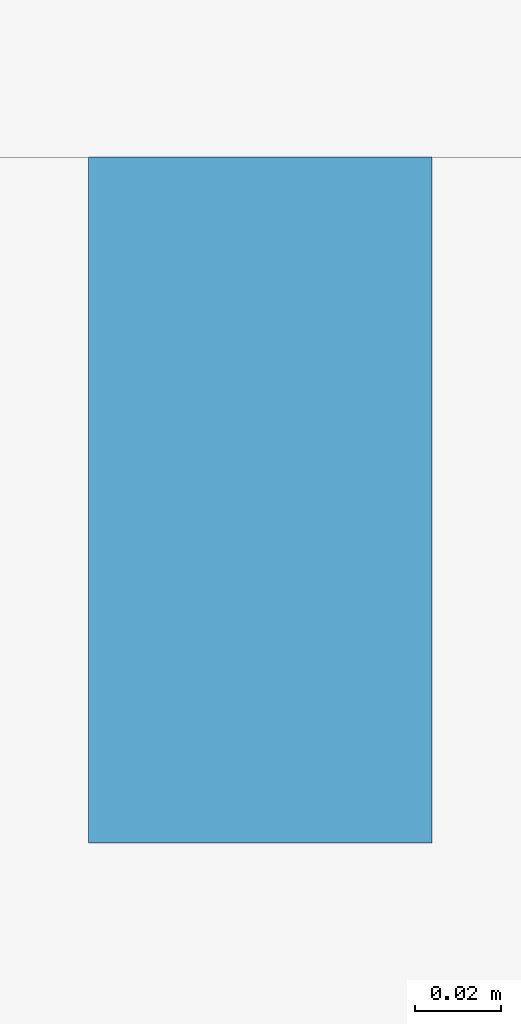
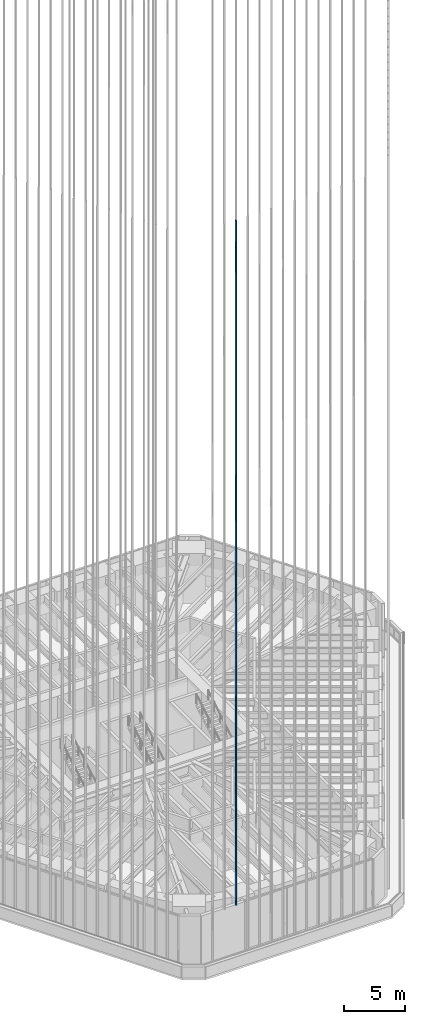
# One storey, part 28 of 228: 1 member, 1 element without a shape of its own.
"""IFC4 building model written with IfcOpenShell, lengths in metres."""

from ifc_helpers import new_model, si_unit, direction, frame, origin, origin_2d, place, context, subcontext, project, spatial, rectangle, extrude, material, material_profile, profile_set, type_object, element, aggregate, save


model = new_model("IFC4")

# Units and contexts
model_context = context("Model", 3, precision=1e-05, world=origin(), true_north=direction((0.0, 1.0)))
body_context = subcontext(model_context, "Body", "Model", "MODEL_VIEW")
ifc_project = project(units=[si_unit("LENGTHUNIT", "METRE"), si_unit("AREAUNIT", "SQUARE_METRE"), si_unit("VOLUMEUNIT", "CUBIC_METRE"), si_unit("PLANEANGLEUNIT", "RADIAN"), si_unit("MASSUNIT", "GRAM", prefix="KILO")], contexts=[model_context])

# Site, building, storey
site_placement = place(None, origin())
site = spatial("IfcSite", under=ifc_project, at=site_placement, CompositionType="ELEMENT")
building_placement = place(site_placement, origin())
building = spatial("IfcBuilding", under=site, at=building_placement, Name="Sandreach Pilgrim Tower", CompositionType="ELEMENT")
storey_placement = place(building_placement, frame((0.0, 0.0, 178.199951171875)))
storey = spatial("IfcBuildingStorey", under=building, at=storey_placement, Name="L44", CompositionType="ELEMENT", Elevation=178.199951171875)

# Curtain wall, member
ifc_material_1 = material(Name="Aluminium framed curtain wall", Category="aluminium")
curtain_wall_type = type_object("IfcCurtainWallType", Name="Upper hotel tower curtain wall", PredefinedType="NOTDEFINED", material=ifc_material_1)
curtain_wall_placement = place(storey_placement, origin())
curtain_wall = element("IfcCurtainWall", 1, at=curtain_wall_placement, inside=storey, type_object=curtain_wall_type, Name="CW-3 L44 SA", PredefinedType="NOTDEFINED")
ifc_material_2 = material(Name="Extruded terracotta on aluminium core", Category="masonry")
ifc_material_profile = material_profile(ifc_material_2, rectangle(XDim=0.080078125, YDim=0.159912109375, at=origin_2d()), Name="TBS 80X160")
ifc_profile_set = profile_set([ifc_material_profile], Name="Extruded terracotta on aluminium core")
member_type = type_object("IfcMemberType", Name="Terracotta baguette south", PredefinedType="USERDEFINED", material=ifc_profile_set)
member_placement = place(storey_placement, frame((-4.989990234375, -26.905029296875, 5.0), z_axis=(0.0, 0.0, 1.0), x_axis=(-1.0, 0.0, 0.0)))
member = element("IfcMember", 2, at=member_placement, type_object=member_type, Name="Baguette Z3 S12", ObjectType="BAGUETTE", PredefinedType="USERDEFINED", context=body_context, shape_type="SweptSolid", body=[
    extrude(rectangle(XDim=0.080078125, YDim=0.159912109375, at=origin_2d()), origin(), (0.0, 0.0, 1.0), 68.239990234375),
])
aggregate(curtain_wall, [member])

save(model, "model.ifc")
